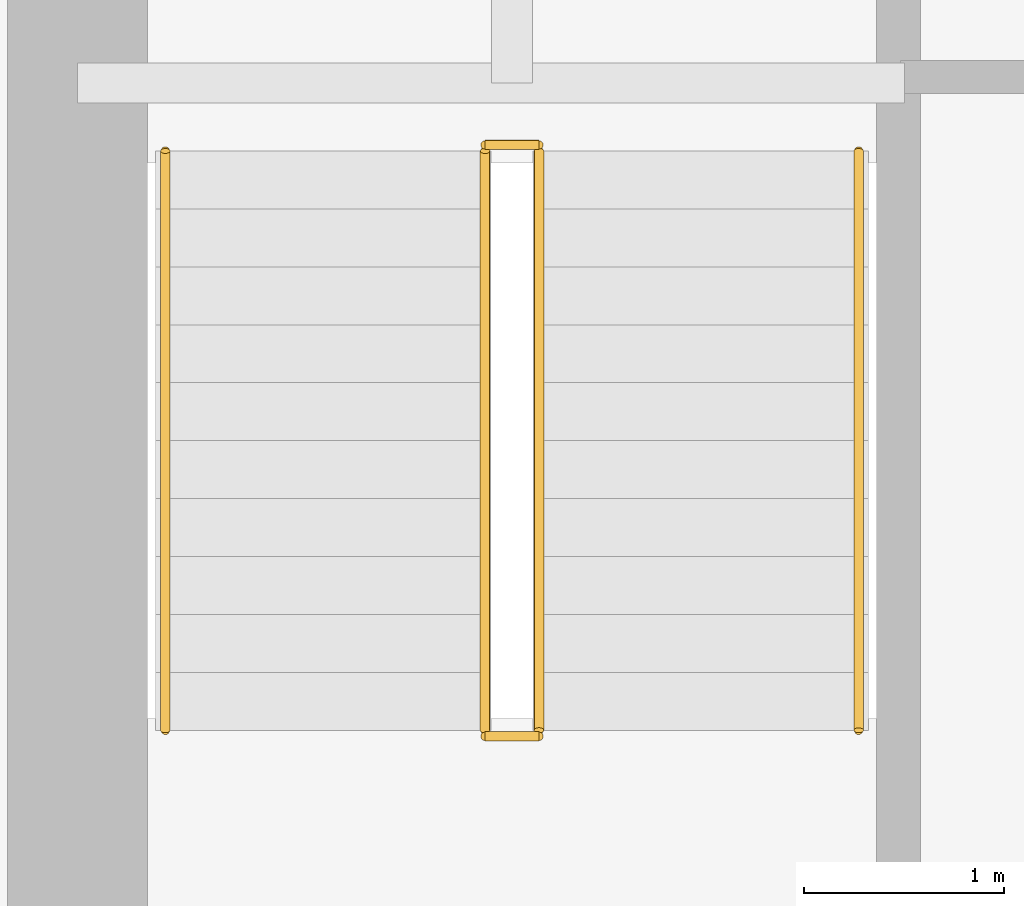
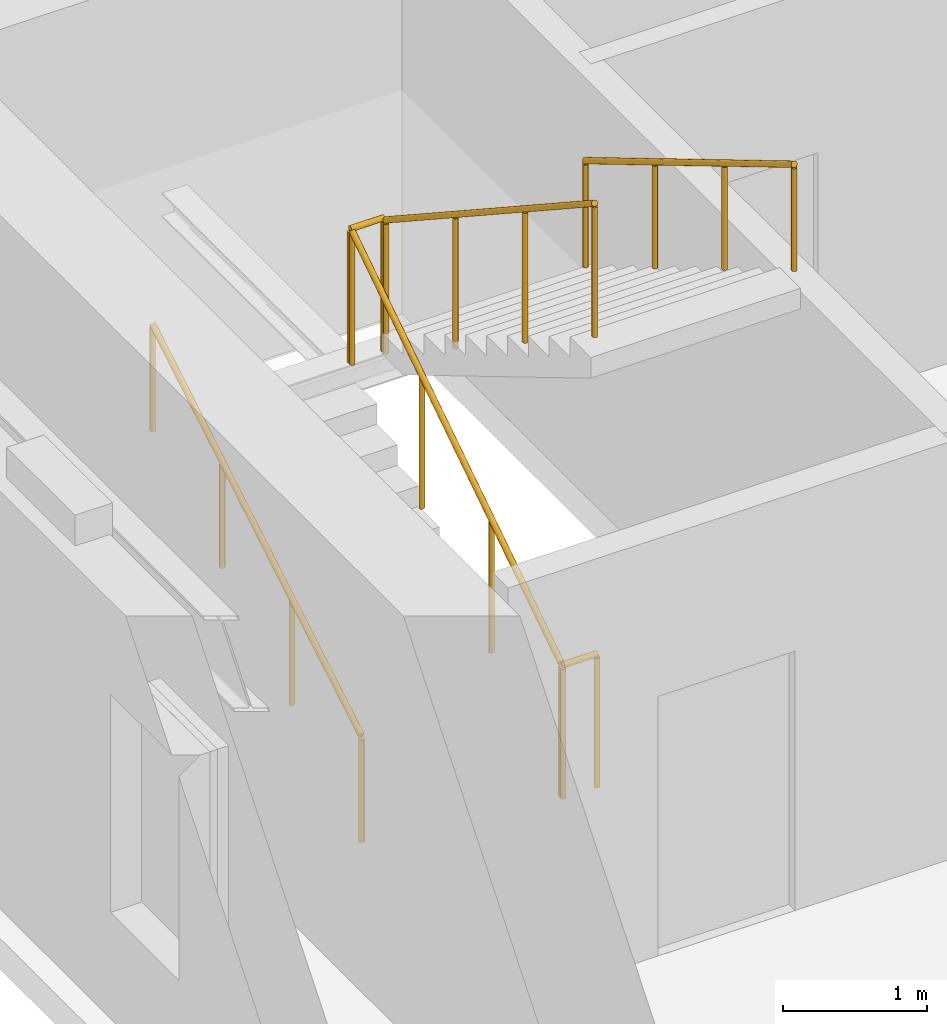
# One storey, part 9 of 11: 6 railings.
"""IFC4 building model written with IfcOpenShell, lengths in metres."""

import ifcopenshell
import ifcopenshell.guid

model = None  # the IFC model being written
_history = None  # IfcOwnerHistory: only IFC2X3 demands one
_inside = {}  # id of a spatial element -> (the spatial element, [elements in it])
_under = {}  # id of a project, library or spatial element -> (it, [spatial elements below it])
_declared = {}  # id of a project -> (the project, [libraries it declares])
_typed = {}  # id of a type object -> (the type object, [elements of that type])
_made_of = {}  # id of a material, layer set ... -> (it, [elements and type objects made of it])


def new_model(schema):
    """Start an empty IFC model of exactly this schema.

    Asked for "IFC4X3", IfcOpenShell would pick the latest addendum, in which some entities
    have other attributes; the version numbers below select the first issue.
    IFC2X3 requires an IfcOwnerHistory on every rooted entity: one is made here for all.
    """
    global model, _history
    if schema == "IFC4X3":
        model = ifcopenshell.file(schema_version=(4, 3, 0, 0))
    else:
        model = ifcopenshell.file(schema=schema)
    _inside.clear()
    _under.clear()
    _declared.clear()
    _typed.clear()
    _made_of.clear()
    _history = None
    if model.schema == "IFC2X3":
        org = make("IfcOrganization", Name="unknown")
        user = make(
            "IfcPersonAndOrganization",
            ThePerson=make("IfcPerson", FamilyName="unknown"),
            TheOrganization=org,
        )
        app = make(
            "IfcApplication",
            ApplicationDeveloper=org,
            Version="unknown",
            ApplicationFullName="unknown",
            ApplicationIdentifier="unknown",
        )
        _history = make(
            "IfcOwnerHistory",
            OwningUser=user,
            OwningApplication=app,
            ChangeAction="ADDED",
            CreationDate=0,
        )
    return model


def make(cls, **values):
    """One entity of the class cls with the attributes given. An attribute that is None is left unset."""
    return model.create_entity(
        cls, **{name: value for name, value in values.items() if value is not None}
    )


def rooted(cls, **values):
    """An entity with a GlobalId (a new one), such as an element, a storey or a relation."""
    return make(cls, GlobalId=ifcopenshell.guid.new(), OwnerHistory=_history, **values)


def si_unit(unit_type, name, prefix=None):
    """IfcSIUnit, for example si_unit("LENGTHUNIT", "METRE", prefix="MILLI")."""
    return make("IfcSIUnit", UnitType=unit_type, Prefix=prefix, Name=name)


def assignment(units):
    """IfcUnitAssignment: the units of a project."""
    return None if units is None else make("IfcUnitAssignment", Units=units)


def point(xyz):
    """IfcCartesianPoint."""
    return None if xyz is None else make("IfcCartesianPoint", Coordinates=xyz)


def direction(xyz):
    """IfcDirection."""
    return None if xyz is None else make("IfcDirection", DirectionRatios=xyz)


def frame(location, z_axis=None, x_axis=None):
    """IfcAxis2Placement3D, a coordinate frame: its origin and axes. An axis left out is left unset."""
    return make(
        "IfcAxis2Placement3D",
        Location=point(location),
        Axis=direction(z_axis),
        RefDirection=direction(x_axis),
    )


def frame_2d(location, x_axis=None):
    """IfcAxis2Placement2D, a coordinate frame in the plane: its origin and x axis."""
    return make(
        "IfcAxis2Placement2D", Location=point(location), RefDirection=direction(x_axis)
    )


def origin():
    """The frame at (0, 0, 0) with its axes left unset."""
    return frame((0.0, 0.0, 0.0))


def origin_2d():
    """The frame at (0, 0) in the plane with its x axis left unset."""
    return frame_2d((0.0, 0.0))


def place(relative_to, where):
    """IfcLocalPlacement: puts the frame where relative to a parent placement (None: the world)."""
    return make(
        "IfcLocalPlacement", PlacementRelTo=relative_to, RelativePlacement=where
    )


def context(
    kind, dimensions, precision=None, world=None, true_north=None, identifier=None
):
    """IfcGeometricRepresentationContext, for example the 3D "Model" context."""
    return make(
        "IfcGeometricRepresentationContext",
        ContextIdentifier=identifier,
        ContextType=kind,
        CoordinateSpaceDimension=dimensions,
        Precision=precision,
        WorldCoordinateSystem=world,
        TrueNorth=true_north,
    )


def subcontext(parent, identifier, kind, view, scale=None):
    """IfcGeometricRepresentationSubContext, for example "Body" below "Model"."""
    return make(
        "IfcGeometricRepresentationSubContext",
        ContextIdentifier=identifier,
        ContextType=kind,
        ParentContext=parent,
        TargetScale=scale,
        TargetView=view,
    )


def project(units=None, contexts=None):
    """IfcProject with its units and contexts."""
    return rooted(
        "IfcProject",
        Name="project",
        RepresentationContexts=contexts,
        UnitsInContext=assignment(units),
    )


def spatial(cls, under=None, at=None, **own):
    """A site, building, storey or space (cls), placed at a placement, below another one or the project."""
    s = rooted(cls, ObjectPlacement=at, **own)
    if under is not None:
        _under.setdefault(under.id(), (under, []))[1].append(s)
    return s


def profile(cls, at=None, kind="AREA", **sizes):
    """A parametric profile (cls). Its sizes go by their IFC names, for example OverallWidth=200.0."""
    return make(cls, ProfileType=kind, Position=at, **sizes)


def circle(**sizes):
    """IfcCircleProfileDef."""
    return profile("IfcCircleProfileDef", **sizes)


def extrude(swept, where, along, depth):
    """IfcExtrudedAreaSolid: the profile swept, set in the frame where, extruded along a direction by depth."""
    return make(
        "IfcExtrudedAreaSolid",
        SweptArea=swept,
        Position=where,
        ExtrudedDirection=direction(along),
        Depth=depth,
    )


def shape(context_of_items, identifier, shape_type, items):
    """IfcShapeRepresentation: the items that make up one representation, for example the "Body"."""
    return make(
        "IfcShapeRepresentation",
        ContextOfItems=context_of_items,
        RepresentationIdentifier=identifier,
        RepresentationType=shape_type,
        Items=items,
    )


def material(Name=None, Category=None):
    """IfcMaterial."""
    return make("IfcMaterial", Name=Name, Category=Category)


def made_of(thing, what):
    """Note that an element or type object is made of a material, layer set ...; save() writes the relation."""
    if what is not None:
        _made_of.setdefault(what.id(), (what, []))[1].append(thing)
    return thing


def type_object(cls, material=None, **own):
    """A type object (cls), such as IfcWallType, which elements share."""
    return made_of(rooted(cls, **own), material)


def element(
    cls,
    number,
    at=None,
    inside=None,
    cuts=None,
    type_object=None,
    material=None,
    context=None,
    identifier="Body",
    shape_type=None,
    held_by="IfcProductDefinitionShape",
    body=None,
    shapes=None,
    **own,
):
    """One element of the class cls, such as IfcWall. Its Tag is "e" and its number.

    at: its placement. inside: the storey or other place that contains it. cuts: it is an
    opening in that element (IfcRelVoidsElement). A single representation is given by context,
    identifier, shape_type and body (its items); several are given by shapes. held_by: the class
    of the entity that holds the representations. save() writes the other relations.
    """
    e = rooted(cls, Tag="e%d" % number, ObjectPlacement=at, **own)
    if body is not None:
        shapes = [shape(context, identifier, shape_type, body)]
    if shapes is not None:
        e.Representation = make(held_by, Representations=shapes)
    if inside is not None:
        _inside.setdefault(inside.id(), (inside, []))[1].append(e)
    if cuts is not None:
        rooted(
            "IfcRelVoidsElement", RelatingBuildingElement=cuts, RelatedOpeningElement=e
        )
    if type_object is not None:
        _typed.setdefault(type_object.id(), (type_object, []))[1].append(e)
    return made_of(e, material)


def aggregate(whole, parts):
    """IfcRelAggregates: a whole, such as a stair, and the parts it consists of."""
    return rooted("IfcRelAggregates", RelatingObject=whole, RelatedObjects=parts)


def save(model, path):
    """Write the relations noted so far, then the file.

    IfcRelAggregates (storeys below a building ...), IfcRelContainedInSpatialStructure (elements
    in a storey), IfcRelDefinesByType, IfcRelAssociatesMaterial and IfcRelDeclares: one each for
    every whole, place, type object, material and project.
    """
    for whole, parts in _under.values():
        aggregate(whole, parts)
    for where, things in _inside.values():
        rooted(
            "IfcRelContainedInSpatialStructure",
            RelatedElements=things,
            RelatingStructure=where,
        )
    for kind, things in _typed.values():
        rooted("IfcRelDefinesByType", RelatedObjects=things, RelatingType=kind)
    for what, things in _made_of.values():
        rooted("IfcRelAssociatesMaterial", RelatedObjects=things, RelatingMaterial=what)
    for by, libraries in _declared.values():
        rooted("IfcRelDeclares", RelatingContext=by, RelatedDefinitions=libraries)
    model.write(path)


model = new_model("IFC4")

# Units and contexts
model_context = context("Model", 3, precision=1e-05, world=origin(), true_north=direction((0.0, 1.0)))
body_context = subcontext(model_context, "Body", "Model", "MODEL_VIEW")
ifc_project = project(units=[si_unit("LENGTHUNIT", "METRE"), si_unit("AREAUNIT", "SQUARE_METRE"), si_unit("VOLUMEUNIT", "CUBIC_METRE"), si_unit("PLANEANGLEUNIT", "RADIAN"), si_unit("MASSUNIT", "GRAM", prefix="KILO")], contexts=[model_context])

# Site, building, storey
site_placement = place(None, origin())
site = spatial("IfcSite", under=ifc_project, at=site_placement, CompositionType="ELEMENT")
building_placement = place(site_placement, origin())
building = spatial("IfcBuilding", under=site, at=building_placement, Name="Norrvale University Quadrangle", CompositionType="ELEMENT")
storey_placement = place(building_placement, frame((0.0, 0.0, 120.39990234375)))
storey = spatial("IfcBuildingStorey", under=building, at=storey_placement, Name="L30", CompositionType="ELEMENT", Elevation=120.39990234375)

# Railings
ifc_material_1 = material(Name="Steel 350W Painted Balustrade", Category="steel")
railing_type_1 = type_object("IfcRailingType", Name="Railing Stair Guard 1100", PredefinedType="GUARDRAIL", material=ifc_material_1)
for number, where, name in (
    (1, (4.239990234375, 42.02001953125, 0.0), "Stair Floor Well Guard ST-02 L30"),
    (2, (4.239990234375, 44.97998046875, 1.900146484375), "Stair Mid-Landing Slot Guard ST-02 L30"),
):
    element("IfcRailing", number, at=place(storey_placement, frame(where)), inside=storey, type_object=railing_type_1, Name=name, PredefinedType="GUARDRAIL", context=body_context, shape_type="SweptSolid", body=[
        extrude(circle(Radius=0.02392578125, at=origin_2d()), frame((0.0, 0.0, 1.1259765625), z_axis=(1.0, 0.0, 0.0), x_axis=(0.0, 1.0, 0.0)), (0.0, 0.0, 1.0), 0.27001953125),
        extrude(circle(Radius=0.02099609375, at=origin_2d()), origin(), (0.0, 0.0, 1.0), 1.101806640625),
        extrude(circle(Radius=0.02099609375, at=origin_2d()), frame((0.27001953125, 0.0, 0.0)), (0.0, 0.0, 1.0), 1.101806640625),
    ])
railing_1_placement = place(storey_placement, frame((4.239990234375, 42.050048828125, 0.0)))
element("IfcRailing", 3, at=railing_1_placement, inside=storey, type_object=railing_type_1, Name="Stair Lower Flight Inner Guard ST-02 L30", PredefinedType="GUARDRAIL", context=body_context, shape_type="SweptSolid", body=[
    extrude(circle(Radius=0.02392578125, at=origin_2d()), frame((0.0, 0.0, 1.1259765625), z_axis=(0.0, 0.836433300813, 0.548068730445), x_axis=(-1.0, 0.0, 0.0)), (0.0, 0.0, 1.0), 3.467041015625),
    extrude(circle(Radius=0.02099609375, at=origin_2d()), origin(), (0.0, 0.0, 1.0), 1.101806640625),
    extrude(circle(Radius=0.02099609375, at=origin_2d()), frame((0.0, 0.966552734375, 0.63330078125)), (0.0, 0.0, 1.0), 1.101806640625),
    extrude(circle(Radius=0.02099609375, at=origin_2d()), frame((0.0, 1.933349609375, 1.266845703125)), (0.0, 0.0, 1.0), 1.101806640625),
    extrude(circle(Radius=0.02099609375, at=origin_2d()), frame((0.0, 2.89990234375, 1.900146484375)), (0.0, 0.0, 1.0), 1.101806640625),
])
railing_2_placement = place(storey_placement, frame((4.510009765625, 44.949951171875, 1.900146484375)))
element("IfcRailing", 4, at=railing_2_placement, inside=storey, type_object=railing_type_1, Name="Stair Upper Flight Inner Guard ST-02 L30", PredefinedType="GUARDRAIL", context=body_context, shape_type="SweptSolid", body=[
    extrude(circle(Radius=0.02392578125, at=origin_2d()), frame((0.0, 0.0, 1.1259765625), z_axis=(0.0, -0.836465582154, 0.548019461216), x_axis=(1.0, 0.0, 0.0)), (0.0, 0.0, 1.0), 3.466796875),
    extrude(circle(Radius=0.02099609375, at=origin_2d()), origin(), (0.0, 0.0, 1.0), 1.101806640625),
    extrude(circle(Radius=0.02099609375, at=origin_2d()), frame((0.0, -0.966552734375, 0.63330078125)), (0.0, 0.0, 1.0), 1.101806640625),
    extrude(circle(Radius=0.02099609375, at=origin_2d()), frame((0.0, -1.933349609375, 1.2666015625)), (0.0, 0.0, 1.0), 1.101806640625),
    extrude(circle(Radius=0.02099609375, at=origin_2d()), frame((0.0, -2.89990234375, 1.89990234375)), (0.0, 0.0, 1.0), 1.101806640625),
])
ifc_material_2 = material(Name="Stainless Steel 316L Handrail", Category="steel")
railing_type_2 = type_object("IfcRailingType", Name="Railing Stair Handrail 920", PredefinedType="HANDRAIL", material=ifc_material_2)
railing_3_placement = place(storey_placement, frame((2.639892578125, 42.050048828125, 0.1728515625)))
element("IfcRailing", 5, at=railing_3_placement, inside=storey, type_object=railing_type_2, Name="Stair Lower Flight Handrail ST-02 L30", PredefinedType="HANDRAIL", context=body_context, shape_type="SweptSolid", body=[
    extrude(circle(Radius=0.02392578125, at=origin_2d()), frame((0.0, 0.0, 0.89599609375), z_axis=(0.0, 0.859141464434, 0.511738159696), x_axis=(-1.0, 0.0, 0.0)), (0.0, 0.0, 1.0), 3.375244140625),
    extrude(circle(Radius=0.02099609375, at=origin_2d()), origin(), (0.0, 0.0, 1.0), 0.871826171875),
    extrude(circle(Radius=0.02099609375, at=origin_2d()), frame((0.0, 0.966552734375, 0.57568359375)), (0.0, 0.0, 1.0), 0.871826171875),
    extrude(circle(Radius=0.02099609375, at=origin_2d()), frame((0.0, 1.933349609375, 1.151611328125)), (0.0, 0.0, 1.0), 0.871826171875),
    extrude(circle(Radius=0.02099609375, at=origin_2d()), frame((0.0, 2.89990234375, 1.727294921875)), (0.0, 0.0, 1.0), 0.871826171875),
])
railing_4_placement = place(storey_placement, frame((6.110107421875, 44.949951171875, 2.07275390625)))
element("IfcRailing", 6, at=railing_4_placement, inside=storey, type_object=railing_type_2, Name="Stair Upper Flight Handrail ST-02 L30", PredefinedType="HANDRAIL", context=body_context, shape_type="SweptSolid", body=[
    extrude(circle(Radius=0.02392578125, at=origin_2d()), frame((0.0, 0.0, 0.89599609375), z_axis=(0.0, -0.859141464434, 0.511738159696), x_axis=(1.0, 0.0, 0.0)), (0.0, 0.0, 1.0), 3.375244140625),
    extrude(circle(Radius=0.02099609375, at=origin_2d()), origin(), (0.0, 0.0, 1.0), 0.871826171875),
    extrude(circle(Radius=0.02099609375, at=origin_2d()), frame((0.0, -0.966552734375, 0.57568359375)), (0.0, 0.0, 1.0), 0.871826171875),
    extrude(circle(Radius=0.02099609375, at=origin_2d()), frame((0.0, -1.933349609375, 1.151611328125)), (0.0, 0.0, 1.0), 0.871826171875),
    extrude(circle(Radius=0.02099609375, at=origin_2d()), frame((0.0, -2.89990234375, 1.727294921875)), (0.0, 0.0, 1.0), 0.871826171875),
])

save(model, "model.ifc")
